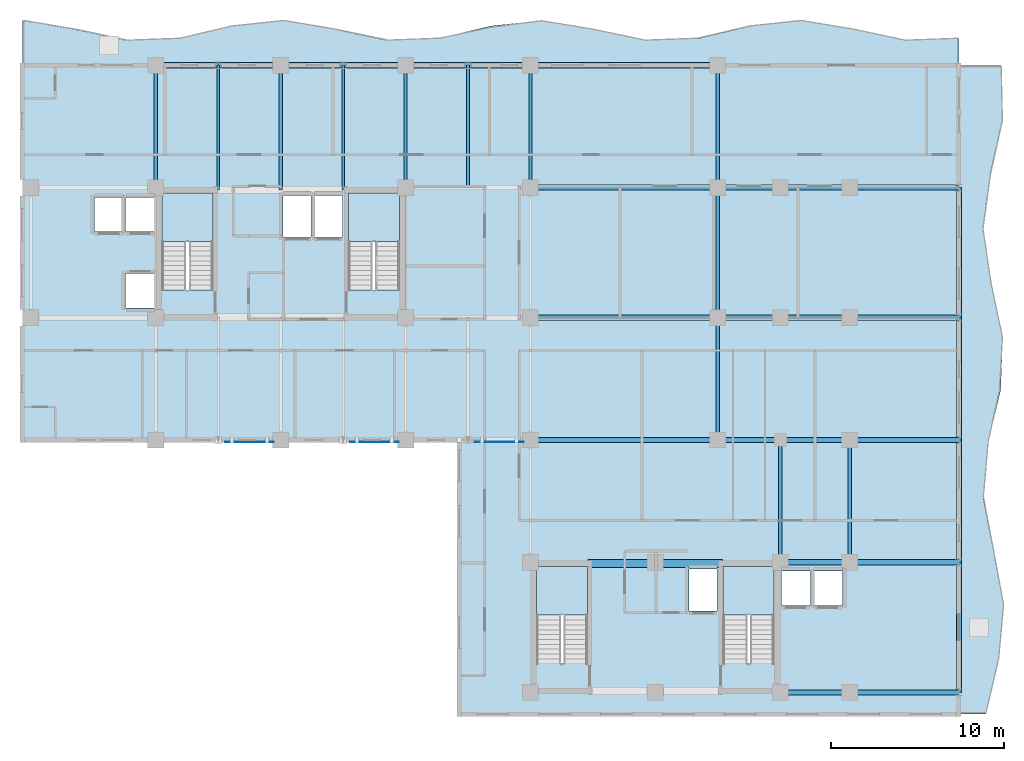
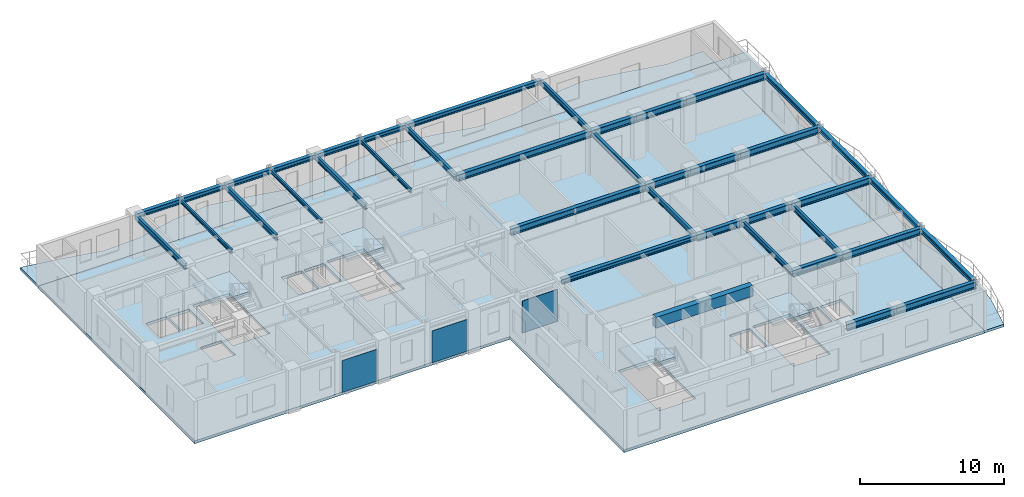
# One storey, part 4 of 13: 40 beams, 7 slabs, 3 plates, 4 elements without a shape of their own.
"""IFC4 building model written with IfcOpenShell, lengths in metres."""

from ifc_helpers import new_model, si_unit, direction, frame, origin, origin_2d, place, context, subcontext, project, spatial, polyline, rectangle, i_section, outline, extrude, source, transform, mapped, material, layer, layer_set, material_profile, profile_set, type_object, element, aggregate, save


model = new_model("IFC4")

# Units and contexts
model_context = context("Model", 3, precision=1e-05, world=origin(), true_north=direction((0.0, 1.0)))
body_context = subcontext(model_context, "Body", "Model", "MODEL_VIEW")
ifc_project = project(units=[si_unit("LENGTHUNIT", "METRE"), si_unit("AREAUNIT", "SQUARE_METRE"), si_unit("VOLUMEUNIT", "CUBIC_METRE"), si_unit("PLANEANGLEUNIT", "RADIAN"), si_unit("MASSUNIT", "GRAM", prefix="KILO")], contexts=[model_context])

# Site, building, storey
site_placement = place(None, origin())
site = spatial("IfcSite", under=ifc_project, at=site_placement, CompositionType="ELEMENT")
building_placement = place(site_placement, origin())
building = spatial("IfcBuilding", under=site, at=building_placement, Name="Kaliganga Portal Commons", CompositionType="ELEMENT")
storey_placement = place(building_placement, frame((0.0, 0.0, 212.89990234375)))
storey = spatial("IfcBuildingStorey", under=building, at=storey_placement, Name="L54", CompositionType="ELEMENT", Elevation=212.89990234375)

# Beams
ifc_material_1 = material(Name="Concrete C50/60", Category="concrete")
ifc_material_profile_1 = material_profile(ifc_material_1, rectangle(XDim=0.449951171875, YDim=0.89990234375, at=origin_2d()), Name="RC 450x900")
ifc_profile_set_1 = profile_set([ifc_material_profile_1], Name="Concrete C50/60")
beam_type_1 = type_object("IfcBeamType", Name="BM-CPL-900", PredefinedType="LINTEL", material=ifc_profile_set_1)
shared_shape_1 = source(origin(), body_context, "Body", "SweptSolid", [
    extrude(rectangle(XDim=0.449951171875, YDim=0.89990234375, at=origin_2d()), origin(), (0.0, 0.0, 1.0), 7.739990234375),
])
beam_1_placement = place(storey_placement, frame((39.330078125, 14.47509765625, 3.02001953125), z_axis=(1.0, 0.0, 0.0), x_axis=(0.0, 1.0, 0.0)))
element("IfcBeam", 1, at=beam_1_placement, inside=storey, type_object=beam_type_1, Name="BM CPL COREB L54 N", PredefinedType="LINTEL", context=body_context, shape_type="MappedRepresentation", body=[
    mapped(shared_shape_1, transform((0.0, 0.0, 0.0), x_axis=(1.0, 0.0, 0.0), y_axis=(0.0, 1.0, 0.0), z_axis=(0.0, 0.0, 1.0), scale=1.0)),
])
ifc_material_2 = material(Name="Structural steel S355J2", Category="steel")
ifc_material_profile_2 = material_profile(ifc_material_2, i_section(OverallWidth=0.18994140625, OverallDepth=0.449951171875, WebThickness=0.009521484375, FlangeThickness=0.0146484375, FilletRadius=0.02099609375, at=origin_2d()), Name="IPE 450")
ifc_profile_set_2 = profile_set([ifc_material_profile_2], Name="Structural steel S355J2 wide-flange")
beam_type_2 = type_object("IfcBeamType", Name="BM-FLR-450", PredefinedType="BEAM", material=ifc_profile_set_2)
shared_shape_2 = source(origin(), body_context, "Body", "SweptSolid", [
    extrude(i_section(OverallWidth=0.18994140625, OverallDepth=0.449951171875, WebThickness=0.009521484375, FlangeThickness=0.0146484375, FilletRadius=0.02099609375, at=origin_2d()), origin(), (0.0, 0.0, 1.0), 7.5),
])
beam_2_placement = place(storey_placement, frame((46.800048828125, 28.64990234375, 3.2451171875), z_axis=(0.0, 1.0, 0.0), x_axis=(-1.0, 0.0, 0.0)))
element("IfcBeam", 2, at=beam_2_placement, inside=storey, type_object=beam_type_2, Name="BM G L54 AM468", PredefinedType="BEAM", context=body_context, shape_type="MappedRepresentation", body=[
    mapped(shared_shape_2, transform((0.0, 0.0, 0.0), x_axis=(1.0, 0.0, 0.0), y_axis=(0.0, 1.0, 0.0), z_axis=(0.0, 0.0, 1.0), scale=1.0)),
])
shared_shape_3 = source(origin(), body_context, "Body", "SweptSolid", [
    extrude(i_section(OverallWidth=0.18994140625, OverallDepth=0.449951171875, WebThickness=0.009521484375, FlangeThickness=0.0146484375, FilletRadius=0.02099609375, at=origin_2d()), origin(), (0.0, 0.0, 1.0), 7.050048828125),
])
for number, where, z_axis, x_axis, name in (
    (3, (14.39990234375, 36.14990234375, 3.2451171875), (0.0, 1.0, 0.0), (-1.0, 0.0, 0.0), "BM G L54 AN144"),
    (4, (28.800048828125, 36.14990234375, 3.2451171875), (0.0, 1.0, 0.0), (-1.0, 0.0, 0.0), "BM G L54 AN288"),
    (5, (36.0, 36.14990234375, 3.2451171875), (0.0, 1.0, 0.0), (-1.0, 0.0, 0.0), "BM G L54 AN360"),
    (6, (46.800048828125, 36.14990234375, 3.2451171875), (0.0, 1.0, 0.0), (-1.0, 0.0, 0.0), "BM G L54 AN468"),
    (7, (50.39990234375, 14.550048828125, 3.2451171875), (0.0, 1.0, 0.0), (-1.0, 0.0, 0.0), "BM G L54 BNK504"),
    (8, (54.39990234375, 14.550048828125, 3.2451171875), (0.0, 1.0, 0.0), (-1.0, 0.0, 0.0), "BM G L54 BNK544"),
):
    element("IfcBeam", number, at=place(storey_placement, frame(where, z_axis=z_axis, x_axis=x_axis)), inside=storey, type_object=beam_type_2, Name=name, PredefinedType="BEAM", context=body_context, shape_type="MappedRepresentation", body=[
        mapped(shared_shape_3, transform((0.0, 0.0, 0.0), x_axis=(1.0, 0.0, 0.0), y_axis=(0.0, 1.0, 0.0), z_axis=(0.0, 0.0, 1.0), scale=1.0)),
    ])
shared_shape_4 = source(origin(), body_context, "Body", "SweptSolid", [
    extrude(i_section(OverallWidth=0.18994140625, OverallDepth=0.449951171875, WebThickness=0.009521484375, FlangeThickness=0.0146484375, FilletRadius=0.02099609375, at=origin_2d()), origin(), (0.0, 0.0, 1.0), 7.0498046875),
])
beam_3_placement = place(storey_placement, frame((46.800048828125, 21.60009765625, 3.2451171875), z_axis=(0.0, 1.0, 0.0), x_axis=(-1.0, 0.0, 0.0)))
element("IfcBeam", 9, at=beam_3_placement, inside=storey, type_object=beam_type_2, Name="BM G L54 AS468", PredefinedType="BEAM", context=body_context, shape_type="MappedRepresentation", body=[
    mapped(shared_shape_4, transform((0.0, 0.0, 0.0), x_axis=(1.0, 0.0, 0.0), y_axis=(0.0, 1.0, 0.0), z_axis=(0.0, 0.0, 1.0), scale=1.0)),
])
ifc_material_profile_3 = material_profile(ifc_material_2, i_section(OverallWidth=0.14990234375, OverallDepth=0.300048828125, WebThickness=0.007080078125, FlangeThickness=0.0107421875, FilletRadius=0.014892578125, at=origin_2d()), Name="IPE 300")
ifc_profile_set_3 = profile_set([ifc_material_profile_3], Name="Structural steel S355J2 wide-flange")
beam_type_3 = type_object("IfcBeamType", Name="BM-JST-300", PredefinedType="JOIST", material=ifc_profile_set_3)
shared_shape_5 = source(origin(), body_context, "Body", "SweptSolid", [
    extrude(i_section(OverallWidth=0.14990234375, OverallDepth=0.300048828125, WebThickness=0.007080078125, FlangeThickness=0.0107421875, FilletRadius=0.014892578125, at=origin_2d()), origin(), (0.0, 0.0, 1.0), 7.050048828125),
])
beam_4_placement = place(storey_placement, frame((32.39990234375, 36.14990234375, 3.320068359375), z_axis=(0.0, 1.0, 0.0), x_axis=(-1.0, 0.0, 0.0)))
element("IfcBeam", 10, at=beam_4_placement, inside=storey, type_object=beam_type_3, Name="BM G L54 AN324", PredefinedType="JOIST", context=body_context, shape_type="MappedRepresentation", body=[
    mapped(shared_shape_5, transform((0.0, 0.0, 0.0), x_axis=(1.0, 0.0, 0.0), y_axis=(0.0, 1.0, 0.0), z_axis=(0.0, 0.0, 1.0), scale=1.0)),
])
ifc_material_profile_4 = material_profile(ifc_material_2, i_section(OverallWidth=0.300048828125, OverallDepth=0.39990234375, WebThickness=0.013427734375, FlangeThickness=0.02392578125, FilletRadius=0.027099609375, at=origin_2d()), Name="HE 400 B")
ifc_profile_set_4 = profile_set([ifc_material_profile_4], Name="Structural steel S355J2 wide-flange")
beam_type_4 = type_object("IfcBeamType", Name="BM-SPAND-400", PredefinedType="SPANDREL", material=ifc_profile_set_4)
shared_shape_6 = source(origin(), body_context, "Body", "SweptSolid", [
    extrude(i_section(OverallWidth=0.300048828125, OverallDepth=0.39990234375, WebThickness=0.013427734375, FlangeThickness=0.02392578125, FilletRadius=0.027099609375, at=origin_2d()), origin(), (0.0, 0.0, 1.0), 3.60009765625),
])
for number, where, z_axis, x_axis, name in (
    (11, (14.39990234375, 43.199951171875, 3.27001953125), (1.0, 0.0, 0.0), (0.0, 1.0, 0.0), "BM SP L54 AN 1"),
    (12, (18.0, 43.199951171875, 3.27001953125), (1.0, 0.0, 0.0), (0.0, 1.0, 0.0), "BM SP L54 AN 2"),
    (13, (25.199951171875, 43.199951171875, 3.27001953125), (1.0, 0.0, 0.0), (0.0, 1.0, 0.0), "BM SP L54 AN 4"),
    (14, (32.39990234375, 43.199951171875, 3.27001953125), (1.0, 0.0, 0.0), (0.0, 1.0, 0.0), "BM SP L54 AN 6"),
):
    element("IfcBeam", number, at=place(storey_placement, frame(where, z_axis=z_axis, x_axis=x_axis)), inside=storey, type_object=beam_type_4, Name=name, PredefinedType="SPANDREL", context=body_context, shape_type="MappedRepresentation", body=[
        mapped(shared_shape_6, transform((0.0, 0.0, 0.0), x_axis=(1.0, 0.0, 0.0), y_axis=(0.0, 1.0, 0.0), z_axis=(0.0, 0.0, 1.0), scale=1.0)),
    ])
shared_shape_7 = source(origin(), body_context, "Body", "SweptSolid", [
    extrude(i_section(OverallWidth=0.300048828125, OverallDepth=0.39990234375, WebThickness=0.013427734375, FlangeThickness=0.02392578125, FilletRadius=0.027099609375, at=origin_2d()), origin(), (0.0, 0.0, 1.0), 3.599853515625),
])
for number, where, z_axis, x_axis, name in (
    (15, (21.60009765625, 43.199951171875, 3.27001953125), (1.0, 0.0, 0.0), (0.0, 1.0, 0.0), "BM SP L54 AN 3"),
    (16, (28.800048828125, 43.199951171875, 3.27001953125), (1.0, 0.0, 0.0), (0.0, 1.0, 0.0), "BM SP L54 AN 5"),
):
    element("IfcBeam", number, at=place(storey_placement, frame(where, z_axis=z_axis, x_axis=x_axis)), inside=storey, type_object=beam_type_4, Name=name, PredefinedType="SPANDREL", context=body_context, shape_type="MappedRepresentation", body=[
        mapped(shared_shape_7, transform((0.0, 0.0, 0.0), x_axis=(1.0, 0.0, 0.0), y_axis=(0.0, 1.0, 0.0), z_axis=(0.0, 0.0, 1.0), scale=1.0)),
    ])
shared_shape_8 = source(origin(), body_context, "Body", "SweptSolid", [
    extrude(i_section(OverallWidth=0.300048828125, OverallDepth=0.39990234375, WebThickness=0.013427734375, FlangeThickness=0.02392578125, FilletRadius=0.027099609375, at=origin_2d()), origin(), (0.0, 0.0, 1.0), 10.800048828125),
])
for number, where, z_axis, x_axis, name in (
    (17, (36.0, 43.199951171875, 3.27001953125), (1.0, 0.0, 0.0), (0.0, 1.0, 0.0), "BM SP L54 AN 7"),
    (18, (36.0, 21.60009765625, 3.27001953125), (1.0, 0.0, 0.0), (0.0, 1.0, 0.0), "BM SP L54 AS 7"),
):
    element("IfcBeam", number, at=place(storey_placement, frame(where, z_axis=z_axis, x_axis=x_axis)), inside=storey, type_object=beam_type_4, Name=name, PredefinedType="SPANDREL", context=body_context, shape_type="MappedRepresentation", body=[
        mapped(shared_shape_8, transform((0.0, 0.0, 0.0), x_axis=(1.0, 0.0, 0.0), y_axis=(0.0, 1.0, 0.0), z_axis=(0.0, 0.0, 1.0), scale=1.0)),
    ])
ifc_material_profile_5 = material_profile(ifc_material_2, i_section(OverallWidth=0.300048828125, OverallDepth=0.550048828125, WebThickness=0.014892578125, FlangeThickness=0.029052734375, FilletRadius=0.027099609375, at=origin_2d()), Name="HE 550 B")
ifc_profile_set_5 = profile_set([ifc_material_profile_5], Name="Structural steel S355J2 wide-flange")
beam_type_5 = type_object("IfcBeamType", Name="BM-GIRD-550", PredefinedType="USERDEFINED", material=ifc_profile_set_5)
shared_shape_9 = source(origin(), body_context, "Body", "SweptSolid", [
    extrude(i_section(OverallWidth=0.300048828125, OverallDepth=0.550048828125, WebThickness=0.014892578125, FlangeThickness=0.029052734375, FilletRadius=0.027099609375, at=origin_2d()), origin(), (0.0, 0.0, 1.0), 10.800048828125),
])
for number, where, z_axis, x_axis, name in (
    (19, (36.0, 28.64990234375, 3.195068359375), (1.0, 0.0, 0.0), (0.0, 1.0, 0.0), "BM G L54 WAE_S 2"),
    (20, (36.0, 36.14990234375, 3.195068359375), (1.0, 0.0, 0.0), (0.0, 1.0, 0.0), "BM G L54 WAE_N 2"),
):
    element("IfcBeam", number, at=place(storey_placement, frame(where, z_axis=z_axis, x_axis=x_axis)), inside=storey, type_object=beam_type_5, Name=name, ObjectType="GIRDER", PredefinedType="USERDEFINED", context=body_context, shape_type="MappedRepresentation", body=[
        mapped(shared_shape_9, transform((0.0, 0.0, 0.0), x_axis=(1.0, 0.0, 0.0), y_axis=(0.0, 1.0, 0.0), z_axis=(0.0, 0.0, 1.0), scale=1.0)),
    ])
shared_shape_10 = source(origin(), body_context, "Body", "SweptSolid", [
    extrude(i_section(OverallWidth=0.14990234375, OverallDepth=0.300048828125, WebThickness=0.007080078125, FlangeThickness=0.0107421875, FilletRadius=0.014892578125, at=origin_2d()), origin(), (0.0, 0.0, 1.0), 7.175048828125),
])
for number, where, z_axis, x_axis, name in (
    (21, (18.0, 36.02490234375, 3.320068359375), (0.0, 1.0, 0.0), (-1.0, 0.0, 0.0), "BM G L54 AN180"),
    (22, (25.199951171875, 36.02490234375, 3.320068359375), (0.0, 1.0, 0.0), (-1.0, 0.0, 0.0), "BM G L54 AN252"),
):
    element("IfcBeam", number, at=place(storey_placement, frame(where, z_axis=z_axis, x_axis=x_axis)), inside=storey, type_object=beam_type_3, Name=name, PredefinedType="JOIST", context=body_context, shape_type="MappedRepresentation", body=[
        mapped(shared_shape_10, transform((0.0, 0.0, 0.0), x_axis=(1.0, 0.0, 0.0), y_axis=(0.0, 1.0, 0.0), z_axis=(0.0, 0.0, 1.0), scale=1.0)),
    ])
shared_shape_11 = source(origin(), body_context, "Body", "SweptSolid", [
    extrude(i_section(OverallWidth=0.18994140625, OverallDepth=0.449951171875, WebThickness=0.009521484375, FlangeThickness=0.0146484375, FilletRadius=0.02099609375, at=origin_2d()), origin(), (0.0, 0.0, 1.0), 7.175048828125),
])
beam_5_placement = place(storey_placement, frame((21.60009765625, 36.02490234375, 3.2451171875), z_axis=(0.0, 1.0, 0.0), x_axis=(-1.0, 0.0, 0.0)))
element("IfcBeam", 23, at=beam_5_placement, inside=storey, type_object=beam_type_2, Name="BM G L54 AN216", PredefinedType="BEAM", context=body_context, shape_type="MappedRepresentation", body=[
    mapped(shared_shape_11, transform((0.0, 0.0, 0.0), x_axis=(1.0, 0.0, 0.0), y_axis=(0.0, 1.0, 0.0), z_axis=(0.0, 0.0, 1.0), scale=1.0)),
])
shared_shape_12 = source(origin(), body_context, "Body", "SweptSolid", [
    extrude(i_section(OverallWidth=0.300048828125, OverallDepth=0.550048828125, WebThickness=0.014892578125, FlangeThickness=0.029052734375, FilletRadius=0.027099609375, at=origin_2d()), origin(), (0.0, 0.0, 1.0), 4.0),
])
for number, where, z_axis, x_axis, name in (
    (24, (50.39990234375, 7.050048828125, 3.195068359375), (1.0, 0.0, 0.0), (0.0, 1.0, 0.0), "BM G L54 BKE70 1"),
    (25, (50.39990234375, 14.550048828125, 3.195068359375), (1.0, 0.0, 0.0), (0.0, 1.0, 0.0), "BM G L54 BKE146 1"),
    (26, (50.39990234375, 21.60009765625, 3.195068359375), (1.0, 0.0, 0.0), (0.0, 1.0, 0.0), "BM G L54 BKE216 2"),
    (27, (50.39990234375, 28.64990234375, 3.195068359375), (1.0, 0.0, 0.0), (0.0, 1.0, 0.0), "BM G L54 BKE286 2"),
    (28, (50.39990234375, 36.14990234375, 3.195068359375), (1.0, 0.0, 0.0), (0.0, 1.0, 0.0), "BM G L54 BKE362 2"),
):
    element("IfcBeam", number, at=place(storey_placement, frame(where, z_axis=z_axis, x_axis=x_axis)), inside=storey, type_object=beam_type_5, Name=name, ObjectType="GIRDER", PredefinedType="USERDEFINED", context=body_context, shape_type="MappedRepresentation", body=[
        mapped(shared_shape_12, transform((0.0, 0.0, 0.0), x_axis=(1.0, 0.0, 0.0), y_axis=(0.0, 1.0, 0.0), z_axis=(0.0, 0.0, 1.0), scale=1.0)),
    ])
shared_shape_13 = source(origin(), body_context, "Body", "SweptSolid", [
    extrude(i_section(OverallWidth=0.300048828125, OverallDepth=0.550048828125, WebThickness=0.014892578125, FlangeThickness=0.029052734375, FilletRadius=0.027099609375, at=origin_2d()), origin(), (0.0, 0.0, 1.0), 6.300048828125),
])
for number, where, z_axis, x_axis, name in (
    (29, (54.39990234375, 7.050048828125, 3.195068359375), (1.0, 0.0, 0.0), (0.0, 1.0, 0.0), "BM G L54 BKE70 2"),
    (30, (54.39990234375, 14.550048828125, 3.195068359375), (1.0, 0.0, 0.0), (0.0, 1.0, 0.0), "BM G L54 BKE146 2"),
    (31, (54.39990234375, 21.60009765625, 3.195068359375), (1.0, 0.0, 0.0), (0.0, 1.0, 0.0), "BM G L54 BKE216 3"),
    (32, (54.39990234375, 28.64990234375, 3.195068359375), (1.0, 0.0, 0.0), (0.0, 1.0, 0.0), "BM G L54 BKE286 3"),
    (33, (54.39990234375, 36.14990234375, 3.195068359375), (1.0, 0.0, 0.0), (0.0, 1.0, 0.0), "BM G L54 BKE362 3"),
):
    element("IfcBeam", number, at=place(storey_placement, frame(where, z_axis=z_axis, x_axis=x_axis)), inside=storey, type_object=beam_type_5, Name=name, ObjectType="GIRDER", PredefinedType="USERDEFINED", context=body_context, shape_type="MappedRepresentation", body=[
        mapped(shared_shape_13, transform((0.0, 0.0, 0.0), x_axis=(1.0, 0.0, 0.0), y_axis=(0.0, 1.0, 0.0), z_axis=(0.0, 0.0, 1.0), scale=1.0)),
    ])
shared_shape_14 = source(origin(), body_context, "Body", "SweptSolid", [
    extrude(i_section(OverallWidth=0.300048828125, OverallDepth=0.550048828125, WebThickness=0.014892578125, FlangeThickness=0.029052734375, FilletRadius=0.027099609375, at=origin_2d()), origin(), (0.0, 0.0, 1.0), 3.599853515625),
])
for number, where, z_axis, x_axis, name in (
    (34, (46.800048828125, 21.60009765625, 3.195068359375), (1.0, 0.0, 0.0), (0.0, 1.0, 0.0), "BM G L54 BKE216 1"),
    (35, (46.800048828125, 28.64990234375, 3.195068359375), (1.0, 0.0, 0.0), (0.0, 1.0, 0.0), "BM G L54 BKE286 1"),
    (36, (46.800048828125, 36.14990234375, 3.195068359375), (1.0, 0.0, 0.0), (0.0, 1.0, 0.0), "BM G L54 BKE362 1"),
):
    element("IfcBeam", number, at=place(storey_placement, frame(where, z_axis=z_axis, x_axis=x_axis)), inside=storey, type_object=beam_type_5, Name=name, ObjectType="GIRDER", PredefinedType="USERDEFINED", context=body_context, shape_type="MappedRepresentation", body=[
        mapped(shared_shape_14, transform((0.0, 0.0, 0.0), x_axis=(1.0, 0.0, 0.0), y_axis=(0.0, 1.0, 0.0), z_axis=(0.0, 0.0, 1.0), scale=1.0)),
    ])
shared_shape_15 = source(origin(), body_context, "Body", "SweptSolid", [
    extrude(i_section(OverallWidth=0.300048828125, OverallDepth=0.39990234375, WebThickness=0.013427734375, FlangeThickness=0.02392578125, FilletRadius=0.027099609375, at=origin_2d()), origin(), (0.0, 0.0, 1.0), 7.5),
])
for number, where, z_axis, x_axis, name in (
    (37, (60.699951171875, 7.050048828125, 3.27001953125), (0.0, 1.0, 0.0), (-1.0, 0.0, 0.0), "BM SP L54 BE 1"),
    (38, (60.699951171875, 28.64990234375, 3.27001953125), (0.0, 1.0, 0.0), (-1.0, 0.0, 0.0), "BM SP L54 BE 4"),
):
    element("IfcBeam", number, at=place(storey_placement, frame(where, z_axis=z_axis, x_axis=x_axis)), inside=storey, type_object=beam_type_4, Name=name, PredefinedType="SPANDREL", context=body_context, shape_type="MappedRepresentation", body=[
        mapped(shared_shape_15, transform((0.0, 0.0, 0.0), x_axis=(1.0, 0.0, 0.0), y_axis=(0.0, 1.0, 0.0), z_axis=(0.0, 0.0, 1.0), scale=1.0)),
    ])
shared_shape_16 = source(origin(), body_context, "Body", "SweptSolid", [
    extrude(i_section(OverallWidth=0.300048828125, OverallDepth=0.39990234375, WebThickness=0.013427734375, FlangeThickness=0.02392578125, FilletRadius=0.027099609375, at=origin_2d()), origin(), (0.0, 0.0, 1.0), 7.050048828125),
])
beam_6_placement = place(storey_placement, frame((60.699951171875, 14.550048828125, 3.27001953125), z_axis=(0.0, 1.0, 0.0), x_axis=(-1.0, 0.0, 0.0)))
element("IfcBeam", 39, at=beam_6_placement, inside=storey, type_object=beam_type_4, Name="BM SP L54 BE 2", PredefinedType="SPANDREL", context=body_context, shape_type="MappedRepresentation", body=[
    mapped(shared_shape_16, transform((0.0, 0.0, 0.0), x_axis=(1.0, 0.0, 0.0), y_axis=(0.0, 1.0, 0.0), z_axis=(0.0, 0.0, 1.0), scale=1.0)),
])
shared_shape_17 = source(origin(), body_context, "Body", "SweptSolid", [
    extrude(i_section(OverallWidth=0.300048828125, OverallDepth=0.39990234375, WebThickness=0.013427734375, FlangeThickness=0.02392578125, FilletRadius=0.027099609375, at=origin_2d()), origin(), (0.0, 0.0, 1.0), 7.0498046875),
])
beam_7_placement = place(storey_placement, frame((60.699951171875, 21.60009765625, 3.27001953125), z_axis=(0.0, 1.0, 0.0), x_axis=(-1.0, 0.0, 0.0)))
element("IfcBeam", 40, at=beam_7_placement, inside=storey, type_object=beam_type_4, Name="BM SP L54 BE 3", PredefinedType="SPANDREL", context=body_context, shape_type="MappedRepresentation", body=[
    mapped(shared_shape_17, transform((0.0, 0.0, 0.0), x_axis=(1.0, 0.0, 0.0), y_axis=(0.0, 1.0, 0.0), z_axis=(0.0, 0.0, 1.0), scale=1.0)),
])

# Slabs
ifc_material_3 = material(Name="Concrete C40/50", Category="concrete")
ifc_layer_1 = layer(ifc_material_3, 0.2099609375)
ifc_layer_set_1 = layer_set([ifc_layer_1], Name="Concrete C40/50")
slab_type_1 = type_object("IfcSlabType", Name="SLB-BALC-210", PredefinedType="FLOOR", material=ifc_layer_set_1)
slab_1_placement = place(storey_placement, frame((0.0, 0.0, -0.2099609375)))
element("IfcSlab", 41, at=slab_1_placement, inside=storey, type_object=slab_type_1, Name="Scalloped Tree-Planter Balcony Slab L54 balc_north", PredefinedType="FLOOR", context=body_context, shape_type="SweptSolid", body=[
    extrude(outline(polyline([(60.699951171875, 43.199951171875), (60.699951171875, 44.760498046875), (57.699951171875, 44.6484375), (54.699951171875, 45.286376953125), (51.699951171875, 45.79248046875), (48.699951171875, 45.467529296875), (45.699951171875, 44.760498046875), (42.699951171875, 44.6484375), (39.699951171875, 45.286376953125), (36.699951171875, 45.79248046875), (33.699951171875, 45.467529296875), (30.699951171875, 44.760498046875), (27.699951171875, 44.6484375), (24.699951171875, 45.286376953125), (21.699951171875, 45.79248046875), (18.699951171875, 45.467529296875), (15.699951171875, 44.760498046875), (12.699951171875, 44.6484375), (9.699951171875, 45.286376953125), (6.699951171875, 45.79248046875), (6.699951171875, 43.199951171875), (60.699951171875, 43.199951171875)])), origin(), (0.0, 0.0, 1.0), 0.2099609375),
])
slab_2_placement = place(storey_placement, frame((0.0, 0.0, -0.2099609375)))
element("IfcSlab", 42, at=slab_2_placement, inside=storey, type_object=slab_type_1, Name="Scalloped Tree-Planter Balcony Slab L54 balc_east", PredefinedType="FLOOR", context=body_context, shape_type="SweptSolid", body=[
    extrude(outline(polyline([(60.699951171875, 5.800048828125), (62.260498046875, 5.800048828125), (62.99365234375, 8.916748046875), (63.2802734375, 12.033203125), (62.697509765625, 15.14990234375), (62.10498046875, 18.2666015625), (62.377197265625, 21.38330078125), (63.112548828125, 24.5), (63.2255859375, 27.61669921875), (62.5498046875, 30.7333984375), (62.082275390625, 33.85009765625), (62.512939453125, 36.966796875), (63.206298828125, 40.083251953125), (63.139404296875, 43.199951171875), (60.699951171875, 43.199951171875), (60.699951171875, 5.800048828125)])), origin(), (0.0, 0.0, 1.0), 0.2099609375),
])

# Stair, slab
stair_type = type_object("IfcStairType", Name="ST-CORE-DOGLEG", PredefinedType="HALF_TURN_STAIR", material=ifc_material_3)
stair_1_placement = place(storey_placement, origin())
stair_1 = element("IfcStair", 43, at=stair_1_placement, inside=storey, type_object=stair_type, Name="L54 Protected Exit Stair ST-A1", PredefinedType="HALF_TURN_STAIR")
ifc_layer_2 = layer(ifc_material_3, 0.199951171875)
ifc_layer_set_2 = layer_set([ifc_layer_2], Name="Concrete C40/50")
slab_type_2 = type_object("IfcSlabType", Name="SLB-STAIR-LND", PredefinedType="LANDING", material=ifc_layer_set_2)
slab_3_placement = place(storey_placement, frame((0.0, 0.0, 1.650146484375)))
slab_3 = element("IfcSlab", 44, at=slab_3_placement, type_object=slab_type_2, Name="ST-A1 landing 1", PredefinedType="LANDING", context=body_context, shape_type="SweptSolid", body=[
    extrude(outline(polyline([(17.699951171875, 33.050048828125), (17.699951171875, 35.85009765625), (14.75, 35.85009765625), (14.75, 33.050048828125), (17.699951171875, 33.050048828125)])), origin(), (0.0, 0.0, 1.0), 0.199951171875),
])
aggregate(stair_1, [slab_3])

stair_2_placement = place(storey_placement, origin())
stair_2 = element("IfcStair", 45, at=stair_2_placement, inside=storey, type_object=stair_type, Name="L54 Protected Exit Stair ST-A2", PredefinedType="HALF_TURN_STAIR")
slab_4_placement = place(storey_placement, frame((0.0, 0.0, 1.650146484375)))
slab_4 = element("IfcSlab", 46, at=slab_4_placement, type_object=slab_type_2, Name="ST-A2 landing 1", PredefinedType="LANDING", context=body_context, shape_type="SweptSolid", body=[
    extrude(outline(polyline([(28.449951171875, 33.050048828125), (28.449951171875, 35.85009765625), (25.5, 35.85009765625), (25.5, 33.050048828125), (28.449951171875, 33.050048828125)])), origin(), (0.0, 0.0, 1.0), 0.199951171875),
])
aggregate(stair_2, [slab_4])

stair_3_placement = place(storey_placement, origin())
stair_3 = element("IfcStair", 47, at=stair_3_placement, inside=storey, type_object=stair_type, Name="L54 Protected Exit Stair ST-B1", PredefinedType="HALF_TURN_STAIR")
slab_5_placement = place(storey_placement, frame((0.0, 0.0, 1.650146484375)))
slab_5 = element("IfcSlab", 48, at=slab_5_placement, type_object=slab_type_2, Name="ST-B1 landing 1", PredefinedType="LANDING", context=body_context, shape_type="SweptSolid", body=[
    extrude(outline(polyline([(39.300048828125, 11.5), (39.300048828125, 14.300048828125), (36.35009765625, 14.300048828125), (36.35009765625, 11.5), (39.300048828125, 11.5)])), origin(), (0.0, 0.0, 1.0), 0.199951171875),
])
aggregate(stair_3, [slab_5])

stair_4_placement = place(storey_placement, origin())
stair_4 = element("IfcStair", 49, at=stair_4_placement, inside=storey, type_object=stair_type, Name="L54 Protected Exit Stair ST-B2", PredefinedType="HALF_TURN_STAIR")
slab_6_placement = place(storey_placement, frame((0.0, 0.0, 1.650146484375)))
slab_6 = element("IfcSlab", 50, at=slab_6_placement, type_object=slab_type_2, Name="ST-B2 landing 1", PredefinedType="LANDING", context=body_context, shape_type="SweptSolid", body=[
    extrude(outline(polyline([(50.050048828125, 11.5), (50.050048828125, 14.300048828125), (47.10009765625, 14.300048828125), (47.10009765625, 11.5), (50.050048828125, 11.5)])), origin(), (0.0, 0.0, 1.0), 0.199951171875),
])
aggregate(stair_4, [slab_6])

# Slab
ifc_layer_3 = layer(ifc_material_3, 0.22998046875)
ifc_layer_set_3 = layer_set([ifc_layer_3], Name="Concrete C40/50")
slab_type_3 = type_object("IfcSlabType", Name="SLB-TWR-230", PredefinedType="FLOOR", material=ifc_layer_set_3)
slab_7_placement = place(storey_placement, frame((0.0, 0.0, -0.22998046875)))
element("IfcSlab", 51, at=slab_7_placement, inside=storey, type_object=slab_type_3, Name="Structural Floor Slab L54", PredefinedType="FLOOR", context=body_context, shape_type="SweptSolid", body=[
    extrude(outline(polyline([(31.89990234375, 5.800048828125), (60.699951171875, 5.800048828125), (60.699951171875, 43.199951171875), (6.699951171875, 43.199951171875), (6.699951171875, 21.60009765625), (31.89990234375, 21.60009765625), (31.89990234375, 5.800048828125)]), holes=[polyline([(14.75, 30.25390625), (14.75, 35.85009765625), (17.699951171875, 35.85009765625), (17.699951171875, 30.25390625), (14.75, 30.25390625)]), polyline([(25.5, 30.25390625), (25.5, 35.85009765625), (28.449951171875, 35.85009765625), (28.449951171875, 30.25390625), (25.5, 30.25390625)]), polyline([(36.35009765625, 8.7041015625), (36.35009765625, 14.300048828125), (39.300048828125, 14.300048828125), (39.300048828125, 8.7041015625), (36.35009765625, 8.7041015625)]), polyline([(47.10009765625, 8.7041015625), (47.10009765625, 14.300048828125), (50.050048828125, 14.300048828125), (50.050048828125, 8.7041015625), (47.10009765625, 8.7041015625)]), polyline([(12.6650390625, 33.614990234375), (12.6650390625, 35.5849609375), (14.3349609375, 35.5849609375), (14.3349609375, 33.614990234375), (12.6650390625, 33.614990234375)]), polyline([(12.6650390625, 29.215087890625), (12.6650390625, 31.18505859375), (14.3349609375, 31.18505859375), (14.3349609375, 29.215087890625), (12.6650390625, 29.215087890625)]), polyline([(10.864990234375, 33.614990234375), (10.864990234375, 35.5849609375), (12.534912109375, 35.5849609375), (12.534912109375, 33.614990234375), (10.864990234375, 33.614990234375)]), polyline([(21.739990234375, 33.2900390625), (21.739990234375, 35.7099609375), (23.360107421875, 35.7099609375), (23.360107421875, 33.2900390625), (21.739990234375, 33.2900390625)]), polyline([(23.5400390625, 33.2900390625), (23.5400390625, 35.7099609375), (25.159912109375, 35.7099609375), (25.159912109375, 33.2900390625), (23.5400390625, 33.2900390625)]), polyline([(50.465087890625, 12.06494140625), (50.465087890625, 14.034912109375), (52.135009765625, 14.034912109375), (52.135009765625, 12.06494140625), (50.465087890625, 12.06494140625)]), polyline([(52.31494140625, 12.06494140625), (52.31494140625, 14.034912109375), (53.985107421875, 14.034912109375), (53.985107421875, 12.06494140625), (52.31494140625, 12.06494140625)]), polyline([(45.139892578125, 11.739990234375), (45.139892578125, 14.159912109375), (46.760009765625, 14.159912109375), (46.760009765625, 11.739990234375), (45.139892578125, 11.739990234375)])]), origin(), (0.0, 0.0, 1.0), 0.22998046875),
])

# Plates
ifc_material_4 = material(Name="Perforated Terracotta Monsoon Baguette Screen", Category="masonry")
ifc_layer_4 = layer(ifc_material_4, 0.034912109375)
ifc_layer_set_4 = layer_set([ifc_layer_4], Name="Perforated Terracotta Monsoon Baguette Screen")
plate_type = type_object("IfcPlateType", Name="PLT-CER-35", PredefinedType="USERDEFINED", material=ifc_layer_set_4)
shared_shape_18 = source(origin(), body_context, "Body", "SweptSolid", [
    extrude(rectangle(XDim=2.800048828125, YDim=0.034912109375, at=origin_2d()), origin(), (0.0, 0.0, 1.0), 2.68994140625),
])
for number, where, z_axis, x_axis, name in (
    (52, (19.800048828125, 21.47998046875, 0.080078125), (0.0, 0.0, 1.0), (1.0, 0.0, 0.0), "Perforated Solar Screen L54-S1"),
    (53, (27.0, 21.47998046875, 0.080078125), (0.0, 0.0, 1.0), (1.0, 0.0, 0.0), "Perforated Solar Screen L54-S2"),
    (54, (34.199951171875, 21.47998046875, 0.080078125), (0.0, 0.0, 1.0), (1.0, 0.0, 0.0), "Perforated Solar Screen L54-S3"),
):
    element("IfcPlate", number, at=place(storey_placement, frame(where, z_axis=z_axis, x_axis=x_axis)), inside=storey, type_object=plate_type, Name=name, ObjectType="SOLAR SCREEN", PredefinedType="USERDEFINED", context=body_context, shape_type="MappedRepresentation", body=[
        mapped(shared_shape_18, transform((0.0, 0.0, 0.0), x_axis=(1.0, 0.0, 0.0), y_axis=(0.0, 1.0, 0.0), z_axis=(0.0, 0.0, 1.0), scale=1.0)),
    ])

save(model, "model.ifc")
